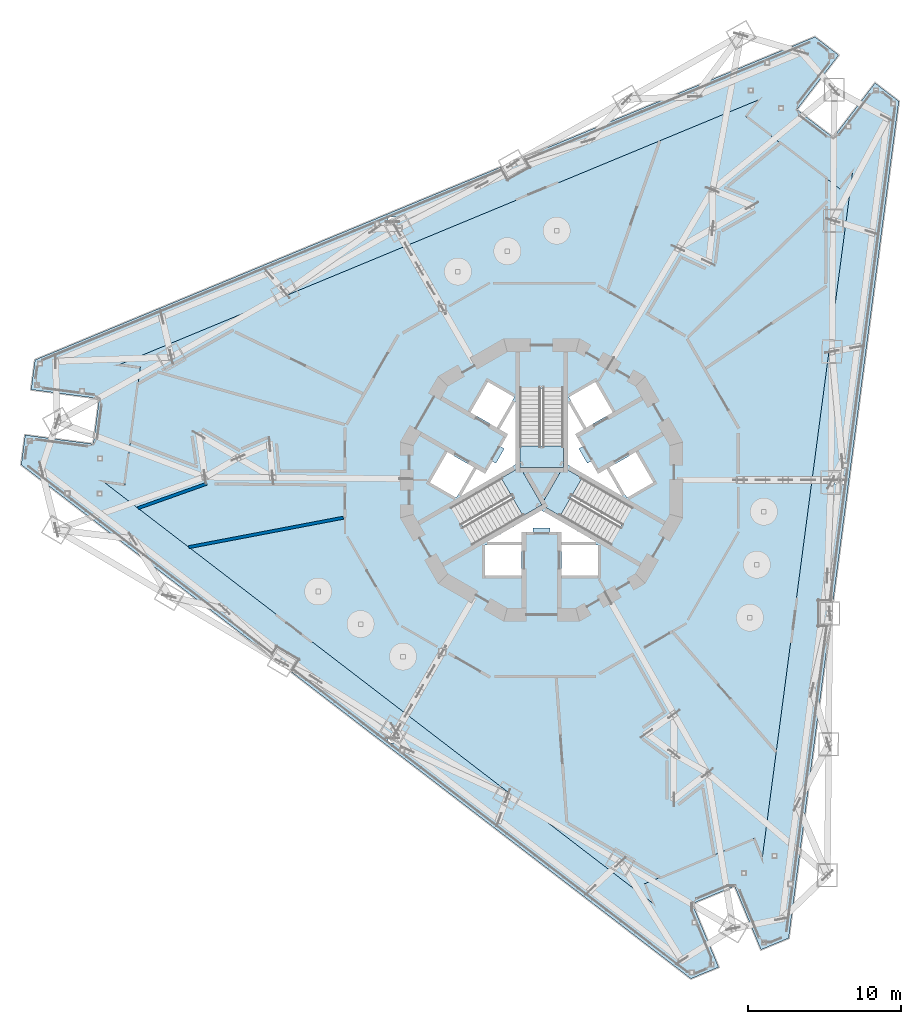
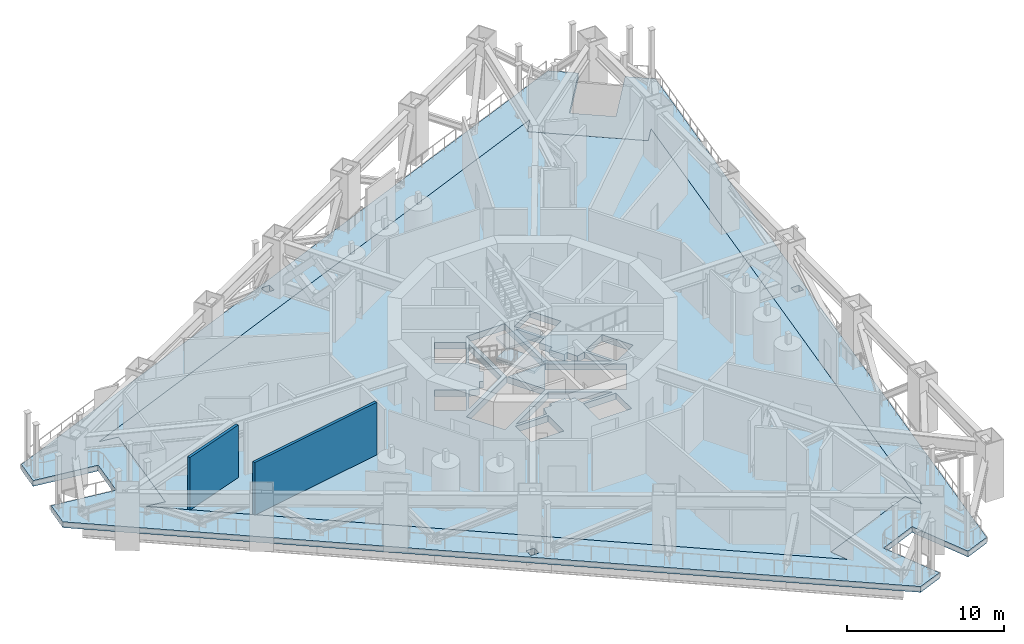
# One storey, part 8 of 23: 6 slabs, 2 walls, 3 elements without a shape of their own.
"""IFC4 building model written with IfcOpenShell, lengths in metres."""

from ifc_helpers import new_model, si_unit, direction, frame, frame_2d, origin, place, context, subcontext, project, spatial, polyline, rectangle, outline, extrude, material, layer, layer_set, type_object, element, aggregate, save


model = new_model("IFC4")

# Units and contexts
model_context = context("Model", 3, precision=1e-05, world=origin(), true_north=direction((0.0, 1.0)))
body_context = subcontext(model_context, "Body", "Model", "MODEL_VIEW")
ifc_project = project(units=[si_unit("LENGTHUNIT", "METRE"), si_unit("AREAUNIT", "SQUARE_METRE"), si_unit("VOLUMEUNIT", "CUBIC_METRE"), si_unit("PLANEANGLEUNIT", "RADIAN"), si_unit("MASSUNIT", "GRAM", prefix="KILO")], contexts=[model_context])

# Site, building, storey
site_placement = place(None, origin())
site = spatial("IfcSite", under=ifc_project, at=site_placement, CompositionType="ELEMENT")
building_placement = place(site_placement, origin())
building = spatial("IfcBuilding", under=site, at=building_placement, Name="Trine Commons Tower", CompositionType="ELEMENT")
storey_placement = place(building_placement, frame((0.0, 0.0, 156.60009765625)))
storey = spatial("IfcBuildingStorey", under=building, at=storey_placement, Name="L40", CompositionType="ELEMENT", Elevation=156.60009765625)

# Slab
ifc_material_1 = material(Name="Concrete C50/60", Category="concrete")
ifc_layer_1 = layer(ifc_material_1, 0.449951171875)
ifc_layer_set_1 = layer_set([ifc_layer_1], Name="Concrete C50/60")
slab_type_1 = type_object("IfcSlabType", Name="Loggia slab 450 mm, C50/60", PredefinedType="FLOOR", material=ifc_layer_set_1)
slab_1_placement = place(storey_placement, frame((0.0, 0.0, -0.4501953125)))
element("IfcSlab", 1, at=slab_1_placement, inside=storey, type_object=slab_type_1, Name="Loggia slab L40", PredefinedType="FLOOR", context=body_context, shape_type="SweptSolid", body=[
    extrude(outline(polyline([(94.361328125, 31.74853515625), (96.17578125, 32.500244140625), (103.38916015625, 87.291015625), (101.8310546875, 88.48681640625), (99.091552734375, 84.91650390625), (96.71142578125, 86.742919921875), (99.450927734375, 90.31298828125), (97.892578125, 91.508544921875), (46.835693359375, 70.360107421875), (46.579345703125, 68.412841796875), (51.041015625, 67.825439453125), (50.6494140625, 64.85107421875), (46.187744140625, 65.4384765625), (45.931396484375, 63.4912109375), (89.77490234375, 29.848876953125), (91.589599609375, 30.6005859375), (89.867431640625, 34.758056640625), (92.63916015625, 35.906005859375), (94.361328125, 31.74853515625)]), holes=[polyline([(86.731689453125, 36.056884765625), (93.93798828125, 39.041748046875), (94.452880859375, 37.799072265625), (100.353271484375, 82.618408203125), (99.53466796875, 81.551513671875), (93.346435546875, 86.2998046875), (94.165283203125, 87.366943359375), (52.400146484375, 70.067138671875), (53.733642578125, 69.8916015625), (52.715576171875, 62.158447265625), (51.382080078125, 62.333984375), (87.24658203125, 34.814208984375), (86.731689453125, 36.056884765625)]), polyline([(70.539794921875, 45.89501953125), (69.93994140625, 45.89501953125), (69.93994140625, 45.294921875), (70.539794921875, 45.294921875), (70.539794921875, 45.89501953125)]), polyline([(99.8203125, 62.199951171875), (99.8203125, 62.800048828125), (99.22021484375, 62.800048828125), (99.22021484375, 62.199951171875), (99.8203125, 62.199951171875)]), polyline([(70.539794921875, 79.10498046875), (70.539794921875, 79.705078125), (69.93994140625, 79.705078125), (69.93994140625, 79.10498046875), (70.539794921875, 79.10498046875)])]), origin(), (0.0, 0.0, 1.0), 0.4501953125),
])

# Stair, slab
stair_type = type_object("IfcStairType", Name="Exit stair, dog-leg, 30 risers of 150 mm", PredefinedType="HALF_TURN_STAIR", material=ifc_material_1)
stair_1_placement = place(storey_placement, origin())
stair_1 = element("IfcStair", 2, at=stair_1_placement, inside=storey, type_object=stair_type, Name="L40 Exit stair ST1B", PredefinedType="HALF_TURN_STAIR")
ifc_layer_2 = layer(ifc_material_1, 0.199951171875)
ifc_layer_set_2 = layer_set([ifc_layer_2], Name="Concrete C50/60")
slab_type_2 = type_object("IfcSlabType", Name="Stair landing slab 200 mm, C50/60", PredefinedType="LANDING", material=ifc_layer_set_2)
slab_2_placement = place(storey_placement, frame((0.0, 0.0, 2.0498046875)))
slab_2 = element("IfcSlab", 3, at=slab_2_placement, type_object=slab_type_2, Name="ST1B landing 1", PredefinedType="LANDING", context=body_context, shape_type="SweptSolid", body=[
    extrude(outline(polyline([(78.574951171875, 64.730712890625), (78.574951171875, 63.300537109375), (81.425048828125, 63.300537109375), (81.425048828125, 64.730712890625), (78.574951171875, 64.730712890625)])), origin(), (0.0, 0.0, 1.0), 0.2001953125),
])
aggregate(stair_1, [slab_2])

stair_2_placement = place(storey_placement, origin())
stair_2 = element("IfcStair", 4, at=stair_2_placement, inside=storey, type_object=stair_type, Name="L40 Exit stair ST2B", PredefinedType="HALF_TURN_STAIR")
slab_3_placement = place(storey_placement, frame((0.0, 0.0, 2.0498046875)))
slab_3 = element("IfcSlab", 5, at=slab_3_placement, type_object=slab_type_2, Name="ST2B landing 1", PredefinedType="LANDING", context=body_context, shape_type="SweptSolid", body=[
    extrude(outline(polyline([(78.78076171875, 60.150634765625), (80.019287109375, 60.86572265625), (78.59423828125, 63.333740234375), (77.355712890625, 62.618896484375), (78.78076171875, 60.150634765625)])), origin(), (0.0, 0.0, 1.0), 0.2001953125),
])
aggregate(stair_2, [slab_3])

stair_3_placement = place(storey_placement, origin())
stair_3 = element("IfcStair", 6, at=stair_3_placement, inside=storey, type_object=stair_type, Name="L40 Exit stair ST3B", PredefinedType="HALF_TURN_STAIR")
slab_4_placement = place(storey_placement, frame((0.0, 0.0, 2.0498046875)))
slab_4 = element("IfcSlab", 7, at=slab_4_placement, type_object=slab_type_2, Name="ST3B landing 1", PredefinedType="LANDING", context=body_context, shape_type="SweptSolid", body=[
    extrude(outline(polyline([(82.644287109375, 62.618896484375), (81.40576171875, 63.333740234375), (79.980712890625, 60.86572265625), (81.21923828125, 60.150634765625), (82.644287109375, 62.618896484375)])), origin(), (0.0, 0.0, 1.0), 0.2001953125),
])
aggregate(stair_3, [slab_4])

# Slabs
ifc_layer_3 = layer(ifc_material_1, 0.5)
ifc_layer_set_3 = layer_set([ifc_layer_3], Name="Concrete C50/60")
slab_type_3 = type_object("IfcSlabType", Name="Transfer floor slab 500 mm, C50/60", PredefinedType="FLOOR", material=ifc_layer_set_3)
slab_5_placement = place(storey_placement, frame((0.0, 0.0, -0.5)))
element("IfcSlab", 8, at=slab_5_placement, inside=storey, type_object=slab_type_3, Name="Floor slab L40", PredefinedType="FLOOR", context=body_context, shape_type="SweptSolid", body=[
    extrude(outline(polyline([(51.382080078125, 62.333984375), (87.24658203125, 34.814208984375), (86.731689453125, 36.056884765625), (93.93798828125, 39.041748046875), (94.452880859375, 37.799072265625), (100.353271484375, 82.618408203125), (99.53466796875, 81.551513671875), (93.346435546875, 86.2998046875), (94.165283203125, 87.366943359375), (52.400146484375, 70.067138671875), (53.733642578125, 69.8916015625), (52.715576171875, 62.158447265625), (51.382080078125, 62.333984375)]), holes=[polyline([(78.699951171875, 56.25), (78.699951171875, 58.25), (76.300048828125, 58.25), (76.300048828125, 56.25), (78.699951171875, 56.25)]), polyline([(80.0, 60.8544921875), (84.4755859375, 58.2705078125), (85.900390625, 60.73876953125), (81.425048828125, 63.32275390625), (81.425048828125, 68.490478515625), (78.574951171875, 68.490478515625), (78.574951171875, 63.32275390625), (74.099609375, 60.73876953125), (75.5244140625, 58.2705078125), (80.0, 60.8544921875)]), polyline([(73.83740234375, 64.325927734375), (72.687255859375, 62.333984375), (74.41943359375, 61.333984375), (75.5693359375, 63.325927734375), (73.83740234375, 64.325927734375)]), polyline([(76.381103515625, 63.031005859375), (75.742919921875, 63.22607421875), (74.7099609375, 61.43798828125), (78.27490234375, 63.49609375), (78.27490234375, 67.612060546875), (77.242919921875, 65.823974609375), (77.73095703125, 65.368896484375), (77.3310546875, 64.676025390625), (77.555908203125, 64.5458984375), (77.006103515625, 63.593994140625), (76.781005859375, 63.722900390625), (76.381103515625, 63.031005859375)]), polyline([(76.4873046875, 68.916015625), (75.33740234375, 66.924072265625), (77.0693359375, 65.924072265625), (78.219482421875, 67.916015625), (76.4873046875, 68.916015625)]), polyline([(83.699951171875, 56.25), (83.699951171875, 58.25), (81.300048828125, 58.25), (81.300048828125, 56.25), (83.699951171875, 56.25)]), polyline([(81.14990234375, 59.10009765625), (81.300048828125, 58.449951171875), (83.56494140625, 58.449951171875), (80.0, 60.508056640625), (76.43505859375, 58.449951171875), (78.699951171875, 58.449951171875), (78.85009765625, 59.10009765625), (79.449951171875, 59.10009765625), (79.449951171875, 59.360107421875), (80.550048828125, 59.360107421875), (80.550048828125, 59.10009765625), (81.14990234375, 59.10009765625)]), polyline([(86.16259765625, 64.325927734375), (84.4306640625, 63.325927734375), (85.58056640625, 61.333984375), (87.312744140625, 62.333984375), (86.16259765625, 64.325927734375)]), polyline([(83.243896484375, 63.738037109375), (82.993896484375, 63.593994140625), (82.444091796875, 64.5458984375), (82.72705078125, 64.7099609375), (82.281005859375, 65.549072265625), (82.757080078125, 65.823974609375), (81.72509765625, 67.612060546875), (81.72509765625, 63.49609375), (85.2900390625, 61.43798828125), (84.257080078125, 63.22607421875), (83.618896484375, 63.031005859375), (83.243896484375, 63.738037109375)]), polyline([(84.66259765625, 66.924072265625), (83.5126953125, 68.916015625), (81.780517578125, 67.916015625), (82.9306640625, 65.924072265625), (84.66259765625, 66.924072265625)])]), origin(), (0.0, 0.0, 1.0), 0.5),
])
slab_6_placement = place(storey_placement, frame((0.0, 0.0, -0.5)))
element("IfcSlab", 9, at=slab_6_placement, inside=storey, type_object=slab_type_3, Name="Floor slab L40 2", PredefinedType="FLOOR", context=body_context, shape_type="SweptSolid", body=[
    extrude(outline(polyline([(78.61328125, 63.300537109375), (80.0, 60.89892578125), (81.38671875, 63.300537109375), (78.61328125, 63.300537109375)])), origin(), (0.0, 0.0, 1.0), 0.5),
])

# Walls
ifc_material_2 = material(Name="Plasterboard on steel stud", Category="steel")
ifc_layer_4 = layer(ifc_material_2, 0.199951171875)
ifc_layer_set_4 = layer_set([ifc_layer_4], Name="Plasterboard on steel stud")
wall_type = type_object("IfcWallType", Name="Fire wall 200 mm, EI 120", PredefinedType="PARTITIONING", material=ifc_layer_set_4)
wall_1_placement = place(storey_placement, frame((53.574462890625, 60.654052734375, 0.0), z_axis=(0.0, 0.0, 1.0), x_axis=(0.942185350223, 0.335092175118, 0.0)))
element("IfcWall", 10, at=wall_1_placement, inside=storey, type_object=wall_type, Name="Partition M40002", PredefinedType="PARTITIONING", context=body_context, shape_type="SweptSolid", body=[
    extrude(rectangle(XDim=4.786865234375, YDim=0.199951171875, at=frame_2d((2.3935546875, 0.0))), origin(), (0.0, 0.0, 1.0), 4.099853515625),
])
wall_2_placement = place(storey_placement, frame((56.899658203125, 58.10009765625, 0.0), z_axis=(0.0, 0.0, 1.0), x_axis=(0.982337112777, 0.187119739367, 0.0)))
element("IfcWall", 11, at=wall_2_placement, inside=storey, type_object=wall_type, Name="Partition M40006", PredefinedType="PARTITIONING", context=body_context, shape_type="SweptSolid", body=[
    extrude(rectangle(XDim=10.290283203125, YDim=0.199951171875, at=frame_2d((5.14501953125, 0.0))), origin(), (0.0, 0.0, 1.0), 4.099853515625),
])

save(model, "model.ifc")
